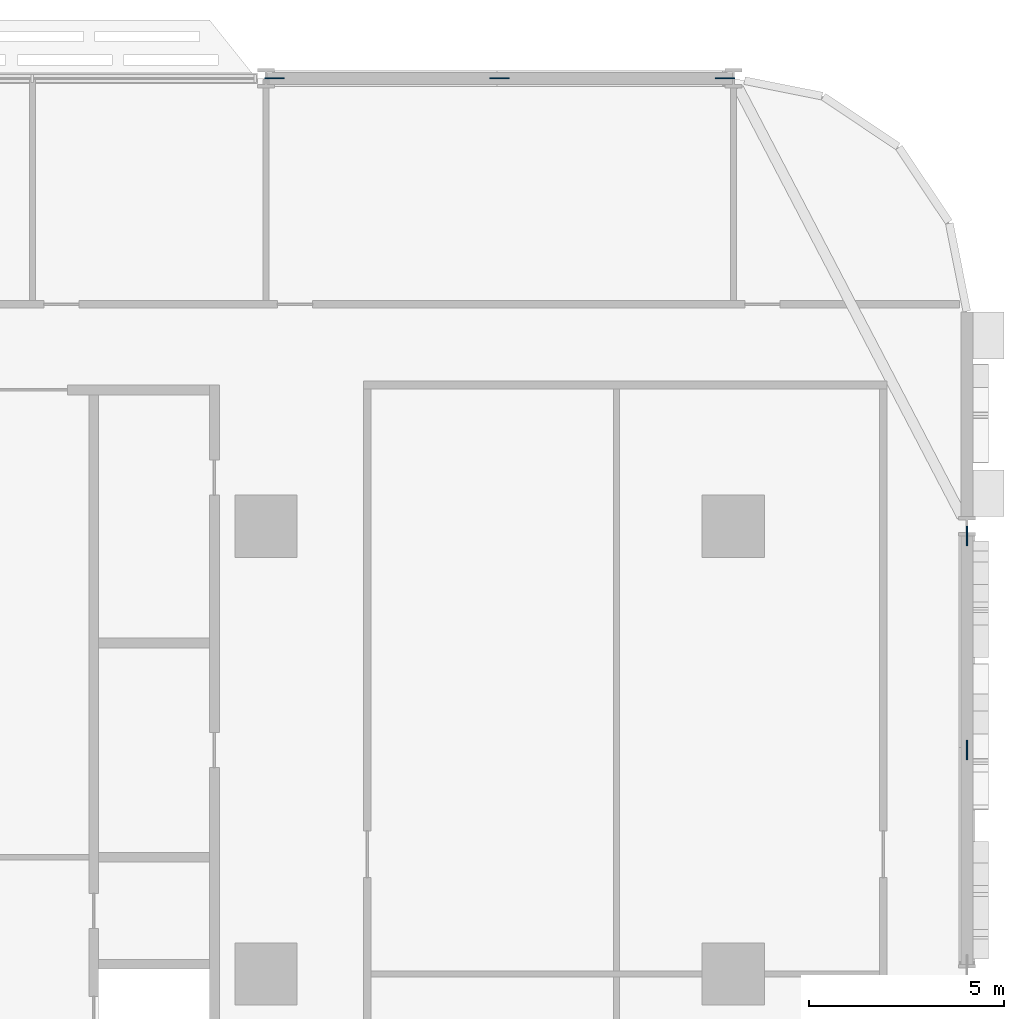
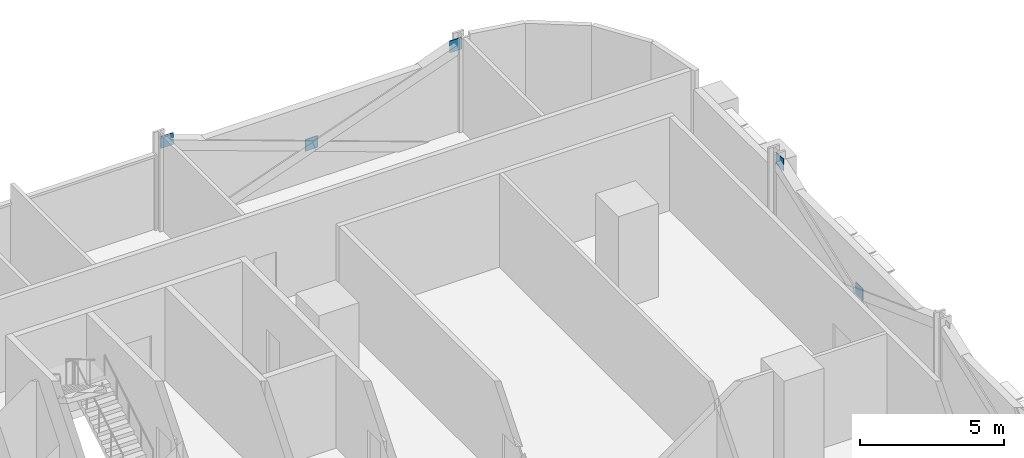
# One storey, part 20 of 26: 5 discrete accessories.
"""IFC4 building model written with IfcOpenShell, lengths in metres."""

from ifc_helpers import new_model, si_unit, direction, frame, origin, origin_2d, place, context, subcontext, project, spatial, rectangle, extrude, material, layer, layer_set, type_object, element, save


model = new_model("IFC4")

# Units and contexts
model_context = context("Model", 3, precision=1e-05, world=origin(), true_north=direction((0.0, 1.0)))
body_context = subcontext(model_context, "Body", "Model", "MODEL_VIEW")
ifc_project = project(units=[si_unit("LENGTHUNIT", "METRE"), si_unit("AREAUNIT", "SQUARE_METRE"), si_unit("VOLUMEUNIT", "CUBIC_METRE"), si_unit("PLANEANGLEUNIT", "RADIAN"), si_unit("MASSUNIT", "GRAM", prefix="KILO")], contexts=[model_context])

# Site, building, storey
site_placement = place(None, origin())
site = spatial("IfcSite", under=ifc_project, at=site_placement, CompositionType="ELEMENT")
building_placement = place(site_placement, origin())
building = spatial("IfcBuilding", under=site, at=building_placement, Name="Mahtab Terrace Research Tower", CompositionType="ELEMENT")
storey_placement = place(building_placement, frame((0.0, 0.0, 15.800048828125)))
storey = spatial("IfcBuildingStorey", under=building, at=storey_placement, Name="L03", CompositionType="ELEMENT", Elevation=15.800048828125)

# Discrete accessories
ifc_material = material(Name="Steel ASTM A992 Gr 50", Category="steel")
ifc_layer = layer(ifc_material, 0.030029296875)
ifc_layer_set = layer_set([ifc_layer], Name="Gusset plate 500x500x30")
discrete_accessory_type = type_object("IfcDiscreteAccessoryType", Name="Gusset plate 500x500x30", PredefinedType="USERDEFINED", material=ifc_layer_set)
for number, where, z_axis, x_axis, name in (
    (1, (30.2158203125, 23.0, 3.33154296875), (0.0, 0.0, 1.0), (1.0, 0.0, 0.0), "Gusset plate"),
    (2, (36.0, 23.0, 1.181640625), (0.0, 0.0, 1.0), (1.0, 0.0, 0.0), "Gusset plate"),
    (3, (41.7841796875, 23.0, 3.33154296875), (0.0, 0.0, 1.0), (1.0, 0.0, 0.0), "Gusset plate"),
    (4, (48.0, 5.75, 1.181396484375), (0.0, 0.0, 1.0), (0.0, 1.0, 0.0), "Gusset plate"),
    (5, (48.0, 11.251220703125, 3.33154296875), (0.0, 0.0, 1.0), (0.0, 1.0, 0.0), "Gusset plate"),
):
    element("IfcDiscreteAccessory", number, at=place(storey_placement, frame(where, z_axis=z_axis, x_axis=x_axis)), inside=storey, type_object=discrete_accessory_type, Name=name, ObjectType="GUSSET PLATE", PredefinedType="USERDEFINED", context=body_context, shape_type="SweptSolid", body=[
        extrude(rectangle(XDim=0.5, YDim=0.030029296875, at=origin_2d()), origin(), (0.0, 0.0, 1.0), 0.5),
    ])

save(model, "model.ifc")
